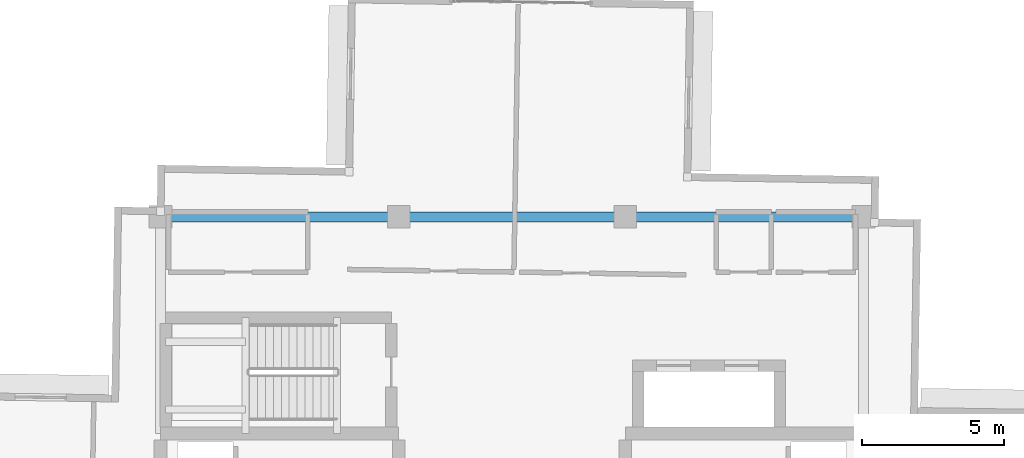
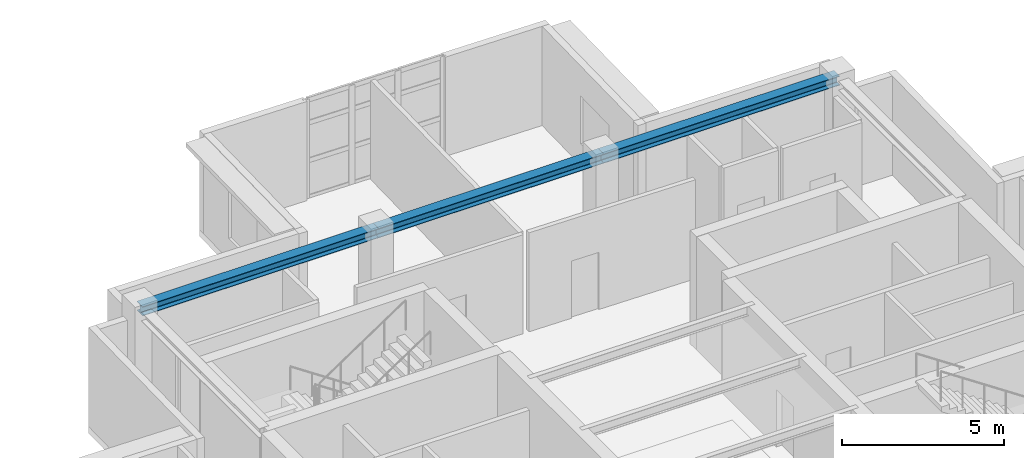
# One storey, part 7 of 15: 3 beams.
"""IFC4 building model written with IfcOpenShell, lengths in metres."""

import ifcopenshell
import ifcopenshell.guid

model = None  # the IFC model being written
_history = None  # IfcOwnerHistory: only IFC2X3 demands one
_inside = {}  # id of a spatial element -> (the spatial element, [elements in it])
_under = {}  # id of a project, library or spatial element -> (it, [spatial elements below it])
_declared = {}  # id of a project -> (the project, [libraries it declares])
_typed = {}  # id of a type object -> (the type object, [elements of that type])
_made_of = {}  # id of a material, layer set ... -> (it, [elements and type objects made of it])


def new_model(schema):
    """Start an empty IFC model of exactly this schema.

    Asked for "IFC4X3", IfcOpenShell would pick the latest addendum, in which some entities
    have other attributes; the version numbers below select the first issue.
    IFC2X3 requires an IfcOwnerHistory on every rooted entity: one is made here for all.
    """
    global model, _history
    if schema == "IFC4X3":
        model = ifcopenshell.file(schema_version=(4, 3, 0, 0))
    else:
        model = ifcopenshell.file(schema=schema)
    _inside.clear()
    _under.clear()
    _declared.clear()
    _typed.clear()
    _made_of.clear()
    _history = None
    if model.schema == "IFC2X3":
        org = make("IfcOrganization", Name="unknown")
        user = make(
            "IfcPersonAndOrganization",
            ThePerson=make("IfcPerson", FamilyName="unknown"),
            TheOrganization=org,
        )
        app = make(
            "IfcApplication",
            ApplicationDeveloper=org,
            Version="unknown",
            ApplicationFullName="unknown",
            ApplicationIdentifier="unknown",
        )
        _history = make(
            "IfcOwnerHistory",
            OwningUser=user,
            OwningApplication=app,
            ChangeAction="ADDED",
            CreationDate=0,
        )
    return model


def make(cls, **values):
    """One entity of the class cls with the attributes given. An attribute that is None is left unset."""
    return model.create_entity(
        cls, **{name: value for name, value in values.items() if value is not None}
    )


def rooted(cls, **values):
    """An entity with a GlobalId (a new one), such as an element, a storey or a relation."""
    return make(cls, GlobalId=ifcopenshell.guid.new(), OwnerHistory=_history, **values)


def si_unit(unit_type, name, prefix=None):
    """IfcSIUnit, for example si_unit("LENGTHUNIT", "METRE", prefix="MILLI")."""
    return make("IfcSIUnit", UnitType=unit_type, Prefix=prefix, Name=name)


def assignment(units):
    """IfcUnitAssignment: the units of a project."""
    return None if units is None else make("IfcUnitAssignment", Units=units)


def point(xyz):
    """IfcCartesianPoint."""
    return None if xyz is None else make("IfcCartesianPoint", Coordinates=xyz)


def direction(xyz):
    """IfcDirection."""
    return None if xyz is None else make("IfcDirection", DirectionRatios=xyz)


def frame(location, z_axis=None, x_axis=None):
    """IfcAxis2Placement3D, a coordinate frame: its origin and axes. An axis left out is left unset."""
    return make(
        "IfcAxis2Placement3D",
        Location=point(location),
        Axis=direction(z_axis),
        RefDirection=direction(x_axis),
    )


def frame_2d(location, x_axis=None):
    """IfcAxis2Placement2D, a coordinate frame in the plane: its origin and x axis."""
    return make(
        "IfcAxis2Placement2D", Location=point(location), RefDirection=direction(x_axis)
    )


def origin():
    """The frame at (0, 0, 0) with its axes left unset."""
    return frame((0.0, 0.0, 0.0))


def origin_2d():
    """The frame at (0, 0) in the plane with its x axis left unset."""
    return frame_2d((0.0, 0.0))


def place(relative_to, where):
    """IfcLocalPlacement: puts the frame where relative to a parent placement (None: the world)."""
    return make(
        "IfcLocalPlacement", PlacementRelTo=relative_to, RelativePlacement=where
    )


def context(
    kind, dimensions, precision=None, world=None, true_north=None, identifier=None
):
    """IfcGeometricRepresentationContext, for example the 3D "Model" context."""
    return make(
        "IfcGeometricRepresentationContext",
        ContextIdentifier=identifier,
        ContextType=kind,
        CoordinateSpaceDimension=dimensions,
        Precision=precision,
        WorldCoordinateSystem=world,
        TrueNorth=true_north,
    )


def subcontext(parent, identifier, kind, view, scale=None):
    """IfcGeometricRepresentationSubContext, for example "Body" below "Model"."""
    return make(
        "IfcGeometricRepresentationSubContext",
        ContextIdentifier=identifier,
        ContextType=kind,
        ParentContext=parent,
        TargetScale=scale,
        TargetView=view,
    )


def project(units=None, contexts=None):
    """IfcProject with its units and contexts."""
    return rooted(
        "IfcProject",
        Name="project",
        RepresentationContexts=contexts,
        UnitsInContext=assignment(units),
    )


def spatial(cls, under=None, at=None, **own):
    """A site, building, storey or space (cls), placed at a placement, below another one or the project."""
    s = rooted(cls, ObjectPlacement=at, **own)
    if under is not None:
        _under.setdefault(under.id(), (under, []))[1].append(s)
    return s


def profile(cls, at=None, kind="AREA", **sizes):
    """A parametric profile (cls). Its sizes go by their IFC names, for example OverallWidth=200.0."""
    return make(cls, ProfileType=kind, Position=at, **sizes)


def i_section(**sizes):
    """IfcIShapeProfileDef."""
    return profile("IfcIShapeProfileDef", **sizes)


def extrude(swept, where, along, depth):
    """IfcExtrudedAreaSolid: the profile swept, set in the frame where, extruded along a direction by depth."""
    return make(
        "IfcExtrudedAreaSolid",
        SweptArea=swept,
        Position=where,
        ExtrudedDirection=direction(along),
        Depth=depth,
    )


def shape(context_of_items, identifier, shape_type, items):
    """IfcShapeRepresentation: the items that make up one representation, for example the "Body"."""
    return make(
        "IfcShapeRepresentation",
        ContextOfItems=context_of_items,
        RepresentationIdentifier=identifier,
        RepresentationType=shape_type,
        Items=items,
    )


def material(Name=None, Category=None):
    """IfcMaterial."""
    return make("IfcMaterial", Name=Name, Category=Category)


def material_profile(
    of_material, cross_section, Name=None, Category=None, Priority=None
):
    """IfcMaterialProfile: a cross section and its material."""
    return make(
        "IfcMaterialProfile",
        Name=Name,
        Material=of_material,
        Profile=cross_section,
        Priority=Priority,
        Category=Category,
    )


def profile_set(profiles, Name=None, composite=None):
    """IfcMaterialProfileSet."""
    return make(
        "IfcMaterialProfileSet",
        Name=Name,
        MaterialProfiles=profiles,
        CompositeProfile=composite,
    )


def made_of(thing, what):
    """Note that an element or type object is made of a material, layer set ...; save() writes the relation."""
    if what is not None:
        _made_of.setdefault(what.id(), (what, []))[1].append(thing)
    return thing


def type_object(cls, material=None, **own):
    """A type object (cls), such as IfcWallType, which elements share."""
    return made_of(rooted(cls, **own), material)


def element(
    cls,
    number,
    at=None,
    inside=None,
    cuts=None,
    type_object=None,
    material=None,
    context=None,
    identifier="Body",
    shape_type=None,
    held_by="IfcProductDefinitionShape",
    body=None,
    shapes=None,
    **own,
):
    """One element of the class cls, such as IfcWall. Its Tag is "e" and its number.

    at: its placement. inside: the storey or other place that contains it. cuts: it is an
    opening in that element (IfcRelVoidsElement). A single representation is given by context,
    identifier, shape_type and body (its items); several are given by shapes. held_by: the class
    of the entity that holds the representations. save() writes the other relations.
    """
    e = rooted(cls, Tag="e%d" % number, ObjectPlacement=at, **own)
    if body is not None:
        shapes = [shape(context, identifier, shape_type, body)]
    if shapes is not None:
        e.Representation = make(held_by, Representations=shapes)
    if inside is not None:
        _inside.setdefault(inside.id(), (inside, []))[1].append(e)
    if cuts is not None:
        rooted(
            "IfcRelVoidsElement", RelatingBuildingElement=cuts, RelatedOpeningElement=e
        )
    if type_object is not None:
        _typed.setdefault(type_object.id(), (type_object, []))[1].append(e)
    return made_of(e, material)


def aggregate(whole, parts):
    """IfcRelAggregates: a whole, such as a stair, and the parts it consists of."""
    return rooted("IfcRelAggregates", RelatingObject=whole, RelatedObjects=parts)


def save(model, path):
    """Write the relations noted so far, then the file.

    IfcRelAggregates (storeys below a building ...), IfcRelContainedInSpatialStructure (elements
    in a storey), IfcRelDefinesByType, IfcRelAssociatesMaterial and IfcRelDeclares: one each for
    every whole, place, type object, material and project.
    """
    for whole, parts in _under.values():
        aggregate(whole, parts)
    for where, things in _inside.values():
        rooted(
            "IfcRelContainedInSpatialStructure",
            RelatedElements=things,
            RelatingStructure=where,
        )
    for kind, things in _typed.values():
        rooted("IfcRelDefinesByType", RelatedObjects=things, RelatingType=kind)
    for what, things in _made_of.values():
        rooted("IfcRelAssociatesMaterial", RelatedObjects=things, RelatingMaterial=what)
    for by, libraries in _declared.values():
        rooted("IfcRelDeclares", RelatingContext=by, RelatedDefinitions=libraries)
    model.write(path)


model = new_model("IFC4")

# Units and contexts
model_context = context("Model", 3, precision=1e-05, world=origin(), true_north=direction((0.0, 1.0)))
body_context = subcontext(model_context, "Body", "Model", "MODEL_VIEW")
ifc_project = project(units=[si_unit("LENGTHUNIT", "METRE"), si_unit("AREAUNIT", "SQUARE_METRE"), si_unit("VOLUMEUNIT", "CUBIC_METRE"), si_unit("PLANEANGLEUNIT", "RADIAN"), si_unit("MASSUNIT", "GRAM", prefix="KILO")], contexts=[model_context])

# Site, building, storey
site_placement = place(None, origin())
site = spatial("IfcSite", under=ifc_project, at=site_placement, CompositionType="ELEMENT")
building_placement = place(site_placement, origin())
building = spatial("IfcBuilding", under=site, at=building_placement, Name="Qingluan Cross Belvedere", CompositionType="ELEMENT")
storey_placement = place(building_placement, frame((0.0, 0.0, 312.89990234375)))
storey = spatial("IfcBuildingStorey", under=building, at=storey_placement, Name="L77", CompositionType="ELEMENT", Elevation=312.89990234375)

# Beams
ifc_material = material(Name="Steel Q420GJB", Category="steel")
ifc_material_profile = material_profile(ifc_material, i_section(OverallWidth=0.35009765625, OverallDepth=0.35009765625, WebThickness=0.011962890625, FlangeThickness=0.01904296875, FilletRadius=0.02001953125, at=origin_2d()), Name="HW350x350x12x19")
ifc_profile_set = profile_set([ifc_material_profile], Name="Steel Q420GJB")
beam_type = type_object("IfcBeamType", Name="Steel_Girder_HW350x350x12x19", PredefinedType="USERDEFINED", material=ifc_profile_set)
beam_1_placement = place(storey_placement, frame((-12.39990234375, 12.60009765625, 4.0751953125), z_axis=(1.0, 0.0, 0.0), x_axis=(0.0, 1.0, 0.0)))
element("IfcBeam", 1, at=beam_1_placement, inside=storey, type_object=beam_type, Name="Hub girder L77-HG-N1", ObjectType="GIRDER", PredefinedType="USERDEFINED", context=body_context, shape_type="SweptSolid", body=[
    extrude(i_section(OverallWidth=0.35009765625, OverallDepth=0.35009765625, WebThickness=0.011962890625, FlangeThickness=0.01904296875, FilletRadius=0.02001953125, at=origin_2d()), origin(), (0.0, 0.0, 1.0), 8.39990234375),
])
beam_2_placement = place(storey_placement, frame((-4.0, 12.60009765625, 4.0751953125), z_axis=(1.0, 0.0, 0.0), x_axis=(0.0, 1.0, 0.0)))
element("IfcBeam", 2, at=beam_2_placement, inside=storey, type_object=beam_type, Name="Hub girder L77-HG-N2", ObjectType="GIRDER", PredefinedType="USERDEFINED", context=body_context, shape_type="SweptSolid", body=[
    extrude(i_section(OverallWidth=0.35009765625, OverallDepth=0.35009765625, WebThickness=0.011962890625, FlangeThickness=0.01904296875, FilletRadius=0.02001953125, at=origin_2d()), origin(), (0.0, 0.0, 1.0), 8.0),
])
beam_3_placement = place(storey_placement, frame((4.0, 12.60009765625, 4.0751953125), z_axis=(1.0, 0.0, 0.0), x_axis=(0.0, 1.0, 0.0)))
element("IfcBeam", 3, at=beam_3_placement, inside=storey, type_object=beam_type, Name="Hub girder L77-HG-N3", ObjectType="GIRDER", PredefinedType="USERDEFINED", context=body_context, shape_type="SweptSolid", body=[
    extrude(i_section(OverallWidth=0.35009765625, OverallDepth=0.35009765625, WebThickness=0.011962890625, FlangeThickness=0.01904296875, FilletRadius=0.02001953125, at=origin_2d()), origin(), (0.0, 0.0, 1.0), 8.39990234375),
])

save(model, "model.ifc")
